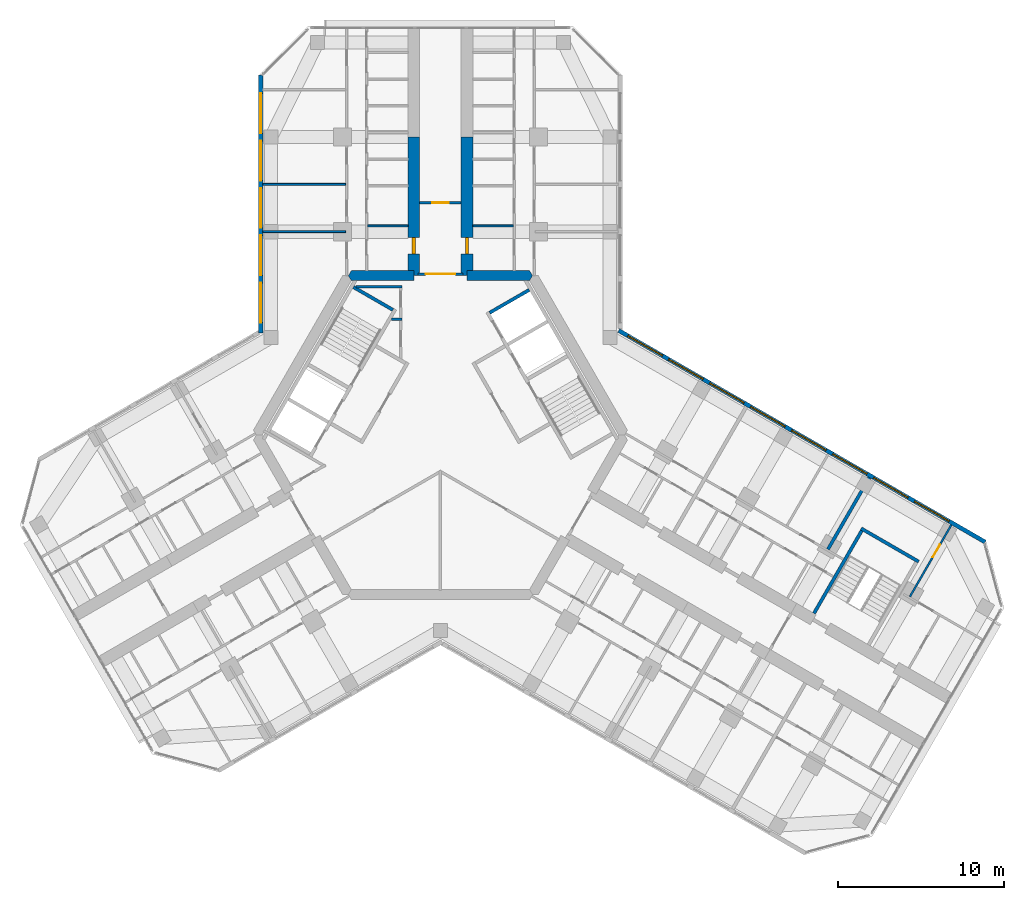
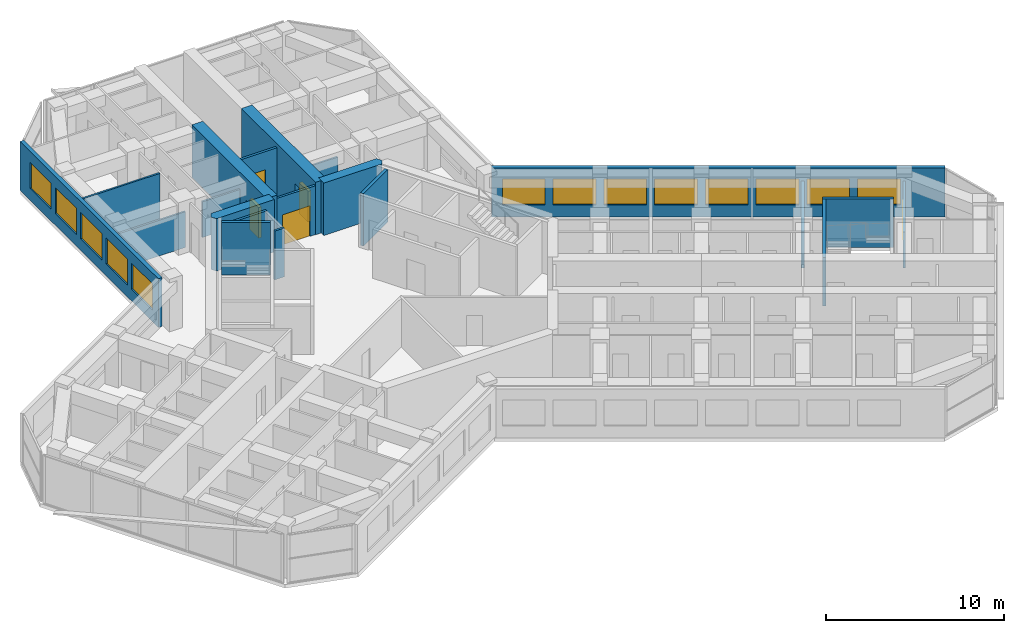
# One storey, part 13 of 16: 20 walls, 13 windows, 5 doors, 18 openings.
"""IFC4 building model written with IfcOpenShell, lengths in metres."""

import ifcopenshell
import ifcopenshell.guid

model = None  # the IFC model being written
_history = None  # IfcOwnerHistory: only IFC2X3 demands one
_inside = {}  # id of a spatial element -> (the spatial element, [elements in it])
_under = {}  # id of a project, library or spatial element -> (it, [spatial elements below it])
_declared = {}  # id of a project -> (the project, [libraries it declares])
_typed = {}  # id of a type object -> (the type object, [elements of that type])
_made_of = {}  # id of a material, layer set ... -> (it, [elements and type objects made of it])


def new_model(schema):
    """Start an empty IFC model of exactly this schema.

    Asked for "IFC4X3", IfcOpenShell would pick the latest addendum, in which some entities
    have other attributes; the version numbers below select the first issue.
    IFC2X3 requires an IfcOwnerHistory on every rooted entity: one is made here for all.
    """
    global model, _history
    if schema == "IFC4X3":
        model = ifcopenshell.file(schema_version=(4, 3, 0, 0))
    else:
        model = ifcopenshell.file(schema=schema)
    _inside.clear()
    _under.clear()
    _declared.clear()
    _typed.clear()
    _made_of.clear()
    _history = None
    if model.schema == "IFC2X3":
        org = make("IfcOrganization", Name="unknown")
        user = make(
            "IfcPersonAndOrganization",
            ThePerson=make("IfcPerson", FamilyName="unknown"),
            TheOrganization=org,
        )
        app = make(
            "IfcApplication",
            ApplicationDeveloper=org,
            Version="unknown",
            ApplicationFullName="unknown",
            ApplicationIdentifier="unknown",
        )
        _history = make(
            "IfcOwnerHistory",
            OwningUser=user,
            OwningApplication=app,
            ChangeAction="ADDED",
            CreationDate=0,
        )
    return model


def make(cls, **values):
    """One entity of the class cls with the attributes given. An attribute that is None is left unset."""
    return model.create_entity(
        cls, **{name: value for name, value in values.items() if value is not None}
    )


def rooted(cls, **values):
    """An entity with a GlobalId (a new one), such as an element, a storey or a relation."""
    return make(cls, GlobalId=ifcopenshell.guid.new(), OwnerHistory=_history, **values)


def si_unit(unit_type, name, prefix=None):
    """IfcSIUnit, for example si_unit("LENGTHUNIT", "METRE", prefix="MILLI")."""
    return make("IfcSIUnit", UnitType=unit_type, Prefix=prefix, Name=name)


def assignment(units):
    """IfcUnitAssignment: the units of a project."""
    return None if units is None else make("IfcUnitAssignment", Units=units)


def point(xyz):
    """IfcCartesianPoint."""
    return None if xyz is None else make("IfcCartesianPoint", Coordinates=xyz)


def direction(xyz):
    """IfcDirection."""
    return None if xyz is None else make("IfcDirection", DirectionRatios=xyz)


def frame(location, z_axis=None, x_axis=None):
    """IfcAxis2Placement3D, a coordinate frame: its origin and axes. An axis left out is left unset."""
    return make(
        "IfcAxis2Placement3D",
        Location=point(location),
        Axis=direction(z_axis),
        RefDirection=direction(x_axis),
    )


def frame_2d(location, x_axis=None):
    """IfcAxis2Placement2D, a coordinate frame in the plane: its origin and x axis."""
    return make(
        "IfcAxis2Placement2D", Location=point(location), RefDirection=direction(x_axis)
    )


def origin():
    """The frame at (0, 0, 0) with its axes left unset."""
    return frame((0.0, 0.0, 0.0))


def place(relative_to, where):
    """IfcLocalPlacement: puts the frame where relative to a parent placement (None: the world)."""
    return make(
        "IfcLocalPlacement", PlacementRelTo=relative_to, RelativePlacement=where
    )


def context(
    kind, dimensions, precision=None, world=None, true_north=None, identifier=None
):
    """IfcGeometricRepresentationContext, for example the 3D "Model" context."""
    return make(
        "IfcGeometricRepresentationContext",
        ContextIdentifier=identifier,
        ContextType=kind,
        CoordinateSpaceDimension=dimensions,
        Precision=precision,
        WorldCoordinateSystem=world,
        TrueNorth=true_north,
    )


def subcontext(parent, identifier, kind, view, scale=None):
    """IfcGeometricRepresentationSubContext, for example "Body" below "Model"."""
    return make(
        "IfcGeometricRepresentationSubContext",
        ContextIdentifier=identifier,
        ContextType=kind,
        ParentContext=parent,
        TargetScale=scale,
        TargetView=view,
    )


def project(units=None, contexts=None):
    """IfcProject with its units and contexts."""
    return rooted(
        "IfcProject",
        Name="project",
        RepresentationContexts=contexts,
        UnitsInContext=assignment(units),
    )


def spatial(cls, under=None, at=None, **own):
    """A site, building, storey or space (cls), placed at a placement, below another one or the project."""
    s = rooted(cls, ObjectPlacement=at, **own)
    if under is not None:
        _under.setdefault(under.id(), (under, []))[1].append(s)
    return s


def polyline(points):
    """IfcPolyline through the points."""
    return make("IfcPolyline", Points=[point(p) for p in points])


def profile(cls, at=None, kind="AREA", **sizes):
    """A parametric profile (cls). Its sizes go by their IFC names, for example OverallWidth=200.0."""
    return make(cls, ProfileType=kind, Position=at, **sizes)


def rectangle(**sizes):
    """IfcRectangleProfileDef."""
    return profile("IfcRectangleProfileDef", **sizes)


def outline(outer, holes=None, kind="AREA"):
    """IfcArbitraryClosedProfileDef: a profile drawn as a closed curve; with holes, ...WithVoids."""
    if holes is None:
        return make("IfcArbitraryClosedProfileDef", ProfileType=kind, OuterCurve=outer)
    return make(
        "IfcArbitraryProfileDefWithVoids",
        ProfileType=kind,
        OuterCurve=outer,
        InnerCurves=holes,
    )


def extrude(swept, where, along, depth):
    """IfcExtrudedAreaSolid: the profile swept, set in the frame where, extruded along a direction by depth."""
    return make(
        "IfcExtrudedAreaSolid",
        SweptArea=swept,
        Position=where,
        ExtrudedDirection=direction(along),
        Depth=depth,
    )


def shape(context_of_items, identifier, shape_type, items):
    """IfcShapeRepresentation: the items that make up one representation, for example the "Body"."""
    return make(
        "IfcShapeRepresentation",
        ContextOfItems=context_of_items,
        RepresentationIdentifier=identifier,
        RepresentationType=shape_type,
        Items=items,
    )


def material(Name=None, Category=None):
    """IfcMaterial."""
    return make("IfcMaterial", Name=Name, Category=Category)


def layer(
    of_material, thickness, ventilated=None, Name=None, Category=None, Priority=None
):
    """IfcMaterialLayer: one layer of a wall or slab, of a material (None: an air gap)."""
    return make(
        "IfcMaterialLayer",
        Material=of_material,
        LayerThickness=thickness,
        IsVentilated=ventilated,
        Name=Name,
        Category=Category,
        Priority=Priority,
    )


def layer_set(layers, Name=None):
    """IfcMaterialLayerSet."""
    return make("IfcMaterialLayerSet", MaterialLayers=layers, LayerSetName=Name)


def made_of(thing, what):
    """Note that an element or type object is made of a material, layer set ...; save() writes the relation."""
    if what is not None:
        _made_of.setdefault(what.id(), (what, []))[1].append(thing)
    return thing


def type_object(cls, material=None, **own):
    """A type object (cls), such as IfcWallType, which elements share."""
    return made_of(rooted(cls, **own), material)


def element(
    cls,
    number,
    at=None,
    inside=None,
    cuts=None,
    type_object=None,
    material=None,
    context=None,
    identifier="Body",
    shape_type=None,
    held_by="IfcProductDefinitionShape",
    body=None,
    shapes=None,
    **own,
):
    """One element of the class cls, such as IfcWall. Its Tag is "e" and its number.

    at: its placement. inside: the storey or other place that contains it. cuts: it is an
    opening in that element (IfcRelVoidsElement). A single representation is given by context,
    identifier, shape_type and body (its items); several are given by shapes. held_by: the class
    of the entity that holds the representations. save() writes the other relations.
    """
    e = rooted(cls, Tag="e%d" % number, ObjectPlacement=at, **own)
    if body is not None:
        shapes = [shape(context, identifier, shape_type, body)]
    if shapes is not None:
        e.Representation = make(held_by, Representations=shapes)
    if inside is not None:
        _inside.setdefault(inside.id(), (inside, []))[1].append(e)
    if cuts is not None:
        rooted(
            "IfcRelVoidsElement", RelatingBuildingElement=cuts, RelatedOpeningElement=e
        )
    if type_object is not None:
        _typed.setdefault(type_object.id(), (type_object, []))[1].append(e)
    return made_of(e, material)


def fill(opening, filler):
    """IfcRelFillsElement: the door or window that sits in an opening."""
    return rooted(
        "IfcRelFillsElement",
        RelatingOpeningElement=opening,
        RelatedBuildingElement=filler,
    )


def aggregate(whole, parts):
    """IfcRelAggregates: a whole, such as a stair, and the parts it consists of."""
    return rooted("IfcRelAggregates", RelatingObject=whole, RelatedObjects=parts)


def save(model, path):
    """Write the relations noted so far, then the file.

    IfcRelAggregates (storeys below a building ...), IfcRelContainedInSpatialStructure (elements
    in a storey), IfcRelDefinesByType, IfcRelAssociatesMaterial and IfcRelDeclares: one each for
    every whole, place, type object, material and project.
    """
    for whole, parts in _under.values():
        aggregate(whole, parts)
    for where, things in _inside.values():
        rooted(
            "IfcRelContainedInSpatialStructure",
            RelatedElements=things,
            RelatingStructure=where,
        )
    for kind, things in _typed.values():
        rooted("IfcRelDefinesByType", RelatedObjects=things, RelatingType=kind)
    for what, things in _made_of.values():
        rooted("IfcRelAssociatesMaterial", RelatedObjects=things, RelatingMaterial=what)
    for by, libraries in _declared.values():
        rooted("IfcRelDeclares", RelatingContext=by, RelatedDefinitions=libraries)
    model.write(path)


model = new_model("IFC4")

# Units and contexts
model_context = context("Model", 3, precision=1e-05, world=origin(), true_north=direction((0.0, 1.0)))
body_context = subcontext(model_context, "Body", "Model", "MODEL_VIEW")
ifc_project = project(units=[si_unit("LENGTHUNIT", "METRE"), si_unit("AREAUNIT", "SQUARE_METRE"), si_unit("VOLUMEUNIT", "CUBIC_METRE"), si_unit("PLANEANGLEUNIT", "RADIAN"), si_unit("MASSUNIT", "GRAM", prefix="KILO")], contexts=[model_context])

# Site, building, storey
site_placement = place(None, origin())
site = spatial("IfcSite", under=ifc_project, at=site_placement, CompositionType="ELEMENT")
building_placement = place(site_placement, origin())
building = spatial("IfcBuilding", under=site, at=building_placement, Name="Kosmar Iwan School Tower", CompositionType="ELEMENT")
storey_placement = place(building_placement, frame((0.0, 0.0, 231.60009765625)))
storey = spatial("IfcBuildingStorey", under=building, at=storey_placement, Name="L58", CompositionType="ELEMENT", Elevation=231.60009765625)

# Walls
ifc_material_1 = material(Name="Gypsum board on steel studs, fire-rated", Category="steel")
ifc_layer_1 = layer(ifc_material_1, 0.14990234375)
ifc_layer_set_1 = layer_set([ifc_layer_1], Name="Core room partition 150")
wall_type_1 = type_object("IfcWallType", Name="Core room partition 150", PredefinedType="PARTITIONING", material=ifc_layer_set_1)
wall_1_placement = place(storey_placement, frame((-2.324951171875, 6.985107421875, 0.0), z_axis=(0.0, 0.0, 1.0), x_axis=(-1.0, 0.0, 0.0)))
element("IfcWall", 1, at=wall_1_placement, inside=storey, type_object=wall_type_1, Name="Core room partition L58-CW2", PredefinedType="PARTITIONING", context=body_context, shape_type="SweptSolid", body=[
    extrude(rectangle(XDim=0.623779296875, YDim=0.14990234375, at=frame_2d((0.31201171875, 0.0))), origin(), (0.0, 0.0, 1.0), 3.349853515625),
])
wall_2_placement = place(storey_placement, frame((-5.089599609375, 8.93994140625, 0.0), z_axis=(0.0, 0.0, 1.0), x_axis=(1.0, 0.0, 0.0)))
element("IfcWall", 2, at=wall_2_placement, inside=storey, type_object=wall_type_1, Name="Core room partition L58-CW3", PredefinedType="PARTITIONING", context=body_context, shape_type="SweptSolid", body=[
    extrude(rectangle(XDim=2.7646484375, YDim=0.14990234375, at=frame_2d((1.38232421875, 0.0))), origin(), (0.0, 0.0, 1.0), 3.349853515625),
])
ifc_material_2 = material(Name="Concrete C50/60", Category="concrete")
ifc_layer_2 = layer(ifc_material_2, 0.60009765625)
ifc_layer_set_2 = layer_set([ifc_layer_2], Name="Core wall 600")
wall_type_2 = type_object("IfcWallType", Name="Core wall 600", PredefinedType="SHEAR", material=ifc_layer_set_2)
wall_3_placement = place(storey_placement, origin())
element("IfcWall", 3, at=wall_3_placement, inside=storey, type_object=wall_type_2, Name="Core wall F090a", PredefinedType="SHEAR", context=body_context, shape_type="SweptSolid", body=[
    extrude(outline(polyline([(1.60009765625, 9.300048828125), (5.369384765625, 9.300048828125), (5.54248046875, 9.60009765625), (5.369384765625, 9.89990234375), (1.60009765625, 9.89990234375), (1.60009765625, 9.300048828125)])), origin(), (0.0, 0.0, 1.0), 3.599853515625),
])
wall_4_placement = place(storey_placement, origin())
element("IfcWall", 4, at=wall_4_placement, inside=storey, type_object=wall_type_2, Name="Core wall F090b", PredefinedType="SHEAR", context=body_context, shape_type="SweptSolid", body=[
    extrude(outline(polyline([(-5.369384765625, 9.300048828125), (-1.60009765625, 9.300048828125), (-1.60009765625, 9.89990234375), (-5.369384765625, 9.89990234375), (-5.54248046875, 9.60009765625), (-5.369384765625, 9.300048828125)])), origin(), (0.0, 0.0, 1.0), 3.599853515625),
])

# Wall, opening, door
ifc_material_3 = material(Name="Concrete C50/60", Category="concrete")
ifc_layer_3 = layer(ifc_material_3, 0.699951171875)
ifc_layer_set_3 = layer_set([ifc_layer_3], Name="Corridor buttress wall 700")
wall_type_3 = type_object("IfcWallType", Name="Corridor buttress wall 700", PredefinedType="SHEAR", material=ifc_layer_set_3)
wall_5_placement = place(storey_placement, frame((-1.60009765625, 9.60009765625, 0.0), z_axis=(0.0, 0.0, 1.0), x_axis=(0.0, 1.0, 0.0)))
wall_5 = element("IfcWall", 5, at=wall_5_placement, inside=storey, type_object=wall_type_3, Name="Corridor wall AL", PredefinedType="SHEAR", context=body_context, shape_type="SweptSolid", body=[
    extrude(rectangle(XDim=8.349853515625, YDim=0.699951171875, at=frame_2d((4.1748046875, 0.0))), origin(), (0.0, 0.0, 1.0), 3.599853515625),
])
opening_1_placement = place(wall_5_placement, frame((1.300048828125, 0.0, 0.0)))
opening_1 = element("IfcOpeningElement", 6, at=opening_1_placement, cuts=wall_5, Name="Opening D1", PredefinedType="OPENING", context=body_context, shape_type="SweptSolid", body=[
    extrude(rectangle(XDim=1.0, YDim=2.10009765625, at=frame_2d((0.5, 1.050048828125))), frame((0.0, 0.362060546875, 0.0), z_axis=(0.0, -1.0, 0.0), x_axis=(1.0, 0.0, 0.0)), (0.0, 0.0, 1.0), 0.723876953125),
])
ifc_material_4 = material(Name="Timber fire door in steel frame", Category="steel")
door_type_1 = type_object("IfcDoorType", Name="Flat entrance door 1000x2100", OperationType="SINGLE_SWING_LEFT", PredefinedType="DOOR", material=ifc_material_4)
door_1_placement = place(opening_1_placement, origin())
door_1 = element("IfcDoor", 7, at=door_1_placement, inside=storey, type_object=door_type_1, Name="Flat L58-AL1 entrance door", OperationType="SINGLE_SWING_RIGHT", OverallHeight=2.10009765625, OverallWidth=1.0, PredefinedType="DOOR", context=body_context, shape_type="SweptSolid", body=[
    extrude(rectangle(XDim=1.0, YDim=2.10009765625, at=frame_2d((0.5, 1.050048828125))), frame((0.0, 0.10009765625, 0.0), z_axis=(0.0, -1.0, 0.0), x_axis=(1.0, 0.0, 0.0)), (0.0, 0.0, 1.0), 0.199951171875),
])
fill(opening_1, door_1)

wall_6_placement = place(storey_placement, frame((1.60009765625, 9.60009765625, 0.0), z_axis=(0.0, 0.0, 1.0), x_axis=(0.0, 1.0, 0.0)))
wall_6 = element("IfcWall", 8, at=wall_6_placement, inside=storey, type_object=wall_type_3, Name="Corridor wall AR", PredefinedType="SHEAR", context=body_context, shape_type="SweptSolid", body=[
    extrude(rectangle(XDim=8.349853515625, YDim=0.699951171875, at=frame_2d((4.1748046875, 0.0))), origin(), (0.0, 0.0, 1.0), 3.599853515625),
])
opening_2_placement = place(wall_6_placement, frame((1.300048828125, 0.0, 0.0)))
opening_2 = element("IfcOpeningElement", 9, at=opening_2_placement, cuts=wall_6, Name="Opening D1", PredefinedType="OPENING", context=body_context, shape_type="SweptSolid", body=[
    extrude(rectangle(XDim=1.0, YDim=2.10009765625, at=frame_2d((0.5, 1.050048828125))), frame((0.0, 0.362060546875, 0.0), z_axis=(0.0, -1.0, 0.0), x_axis=(1.0, 0.0, 0.0)), (0.0, 0.0, 1.0), 0.723876953125),
])
door_2_placement = place(opening_2_placement, origin())
door_2 = element("IfcDoor", 10, at=door_2_placement, inside=storey, type_object=door_type_1, Name="Flat L58-AR1 entrance door", OperationType="SINGLE_SWING_LEFT", OverallHeight=2.10009765625, OverallWidth=1.0, PredefinedType="DOOR", context=body_context, shape_type="SweptSolid", body=[
    extrude(rectangle(XDim=1.0, YDim=2.10009765625, at=frame_2d((0.5, 1.050048828125))), frame((0.0, 0.10009765625, 0.0), z_axis=(0.0, -1.0, 0.0), x_axis=(1.0, 0.0, 0.0)), (0.0, 0.0, 1.0), 0.199951171875),
])
fill(opening_2, door_2)

ifc_material_5 = material(Name="Gypsum board on steel studs, fire-rated", Category="steel")
ifc_layer_4 = layer(ifc_material_5, 0.14990234375)
ifc_layer_set_4 = layer_set([ifc_layer_4], Name="Corridor end wall 150")
wall_type_4 = type_object("IfcWallType", Name="Corridor end wall 150", PredefinedType="PARTITIONING", material=ifc_layer_set_4)
wall_7_placement = place(storey_placement, frame((1.25, 14.0, 0.0), z_axis=(0.0, 0.0, 1.0), x_axis=(-1.0, 0.0, 0.0)))
wall_7 = element("IfcWall", 11, at=wall_7_placement, inside=storey, type_object=wall_type_4, Name="Partition L58-A-CE", PredefinedType="PARTITIONING", context=body_context, shape_type="SweptSolid", body=[
    extrude(rectangle(XDim=2.5, YDim=0.14990234375, at=frame_2d((1.25, 0.0))), origin(), (0.0, 0.0, 1.0), 3.349853515625),
])
opening_3_placement = place(wall_7_placement, frame((0.75, 0.0, 0.0)))
opening_3 = element("IfcOpeningElement", 12, at=opening_3_placement, cuts=wall_7, Name="Opening D13", PredefinedType="OPENING", context=body_context, shape_type="SweptSolid", body=[
    extrude(rectangle(XDim=1.0, YDim=2.10009765625, at=frame_2d((0.5, 1.050048828125))), frame((0.0, 0.0869140625, 0.0), z_axis=(0.0, -1.0, 0.0), x_axis=(1.0, 0.0, 0.0)), (0.0, 0.0, 1.0), 0.173828125),
])
ifc_material_6 = material(Name="Timber fire door with vision panel", Category="wood")
door_type_2 = type_object("IfcDoorType", Name="Corridor end door 1000x2100", OperationType="SINGLE_SWING_LEFT", PredefinedType="DOOR", material=ifc_material_6)
door_3_placement = place(opening_3_placement, origin())
door_3 = element("IfcDoor", 13, at=door_3_placement, inside=storey, type_object=door_type_2, Name="Reading room door L58-A", OperationType="SINGLE_SWING_RIGHT", OverallHeight=2.10009765625, OverallWidth=1.0, PredefinedType="DOOR", context=body_context, shape_type="SweptSolid", body=[
    extrude(rectangle(XDim=1.0, YDim=2.10009765625, at=frame_2d((0.5, 1.050048828125))), frame((0.0, 0.02490234375, 0.0), z_axis=(0.0, -1.0, 0.0), x_axis=(1.0, 0.0, 0.0)), (0.0, 0.0, 1.0), 0.050048828125),
])
fill(opening_3, door_3)

ifc_material_7 = material(Name="Steel framed glazed screen", Category="steel")
ifc_layer_5 = layer(ifc_material_7, 0.14990234375)
ifc_layer_set_5 = layer_set([ifc_layer_5], Name="Corridor screen wall 150")
wall_type_5 = type_object("IfcWallType", Name="Corridor screen wall 150", PredefinedType="PARTITIONING", material=ifc_layer_set_5)
wall_8_placement = place(storey_placement, frame((1.35009765625, 9.699951171875, 0.0), z_axis=(0.0, 0.0, 1.0), x_axis=(-1.0, 0.0, 0.0)))
wall_8 = element("IfcWall", 14, at=wall_8_placement, inside=storey, type_object=wall_type_5, Name="Corridor screen A L58", PredefinedType="PARTITIONING", context=body_context, shape_type="SweptSolid", body=[
    extrude(rectangle(XDim=2.7001953125, YDim=0.14990234375, at=frame_2d((1.35009765625, 0.0))), origin(), (0.0, 0.0, 1.0), 3.349853515625),
])
opening_4_placement = place(wall_8_placement, frame((0.449951171875, 0.0, 0.0)))
opening_4 = element("IfcOpeningElement", 15, at=opening_4_placement, cuts=wall_8, Name="Opening D9", PredefinedType="OPENING", context=body_context, shape_type="SweptSolid", body=[
    extrude(rectangle(XDim=1.800048828125, YDim=2.10009765625, at=frame_2d((0.89990234375, 1.050048828125))), frame((0.0, 0.0869140625, 0.0), z_axis=(0.0, -1.0, 0.0), x_axis=(1.0, 0.0, 0.0)), (0.0, 0.0, 1.0), 0.173828125),
])
ifc_material_8 = material(Name="Steel framed glazed smoke door", Category="steel")
door_type_3 = type_object("IfcDoorType", Name="Corridor smoke door pair 1800x2100", OperationType="DOUBLE_DOOR_DOUBLE_SWING", PredefinedType="DOOR", material=ifc_material_8)
door_4_placement = place(opening_4_placement, origin())
door_4 = element("IfcDoor", 16, at=door_4_placement, inside=storey, type_object=door_type_3, Name="Corridor doors A L58", OperationType="DOUBLE_DOOR_DOUBLE_SWING", OverallHeight=2.10009765625, OverallWidth=1.800048828125, PredefinedType="DOOR", context=body_context, shape_type="SweptSolid", body=[
    extrude(rectangle(XDim=1.800048828125, YDim=2.10009765625, at=frame_2d((0.89990234375, 1.050048828125))), frame((0.0, 0.02490234375, 0.0), z_axis=(0.0, -1.0, 0.0), x_axis=(1.0, 0.0, 0.0)), (0.0, 0.0, 1.0), 0.050048828125),
])
fill(opening_4, door_4)

# Walls
ifc_material_9 = material(Name="Gypsum board on steel studs", Category="steel")
ifc_layer_6 = layer(ifc_material_9, 0.1201171875)
ifc_layer_set_6 = layer_set([ifc_layer_6], Name="Dwelling partition 120")
wall_type_6 = type_object("IfcWallType", Name="Dwelling partition 120", PredefinedType="PARTITIONING", material=ifc_layer_set_6)
wall_9_placement = place(storey_placement, frame((-5.7099609375, 12.25, 0.0), z_axis=(0.0, 0.0, 1.0), x_axis=(-1.0, 0.0, 0.0)))
element("IfcWall", 17, at=wall_9_placement, inside=storey, type_object=wall_type_6, Name="Partition L58-AL1-X1", PredefinedType="PARTITIONING", context=body_context, shape_type="SweptSolid", body=[
    extrude(rectangle(XDim=4.989990234375, YDim=0.1201171875, at=frame_2d((2.4951171875, 0.0))), origin(), (0.0, 0.0, 1.0), 2.449951171875),
])
wall_10_placement = place(storey_placement, frame((-5.7099609375, 15.10009765625, 0.0), z_axis=(0.0, 0.0, 1.0), x_axis=(-1.0, 0.0, 0.0)))
element("IfcWall", 18, at=wall_10_placement, inside=storey, type_object=wall_type_6, Name="Partition L58-AL1-X2", PredefinedType="PARTITIONING", context=body_context, shape_type="SweptSolid", body=[
    extrude(rectangle(XDim=4.989990234375, YDim=0.1201171875, at=frame_2d((2.4951171875, 0.0))), origin(), (0.0, 0.0, 1.0), 3.349853515625),
])
for number, where, z_axis, x_axis, name in (
    (19, (-1.949951171875, 12.60009765625, 0.0), (0.0, 0.0, 1.0), (-1.0, 0.0, 0.0), "Partition L58-AL1-Y1"),
    (20, (1.949951171875, 12.60009765625, 0.0), (0.0, 0.0, 1.0), (1.0, 0.0, 0.0), "Partition L58-AR1-Y1"),
):
    element("IfcWall", number, at=place(storey_placement, frame(where, z_axis=z_axis, x_axis=x_axis)), inside=storey, type_object=wall_type_6, Name=name, PredefinedType="PARTITIONING", context=body_context, shape_type="SweptSolid", body=[
        extrude(rectangle(XDim=2.43994140625, YDim=0.1201171875, at=frame_2d((1.219970703125, 0.0))), origin(), (0.0, 0.0, 1.0), 2.449951171875),
    ])

# Wall, opening, door
wall_11_placement = place(storey_placement, frame((28.27294921875, -9.72998046875, 0.0), z_axis=(0.0, 0.0, 1.0), x_axis=(0.499975153383, 0.86603974851, 0.0)))
wall_11 = element("IfcWall", 21, at=wall_11_placement, inside=storey, type_object=wall_type_6, Name="Partition L58-CL3-TX", PredefinedType="PARTITIONING", context=body_context, shape_type="SweptSolid", body=[
    extrude(rectangle(XDim=4.989990234375, YDim=0.1201171875, at=frame_2d((2.4951171875, 0.0))), origin(), (0.0, 0.0, 1.0), 2.449951171875),
])
opening_5_placement = place(wall_11_placement, frame((2.739990234375, 0.0, 0.0)))
opening_5 = element("IfcOpeningElement", 22, at=opening_5_placement, cuts=wall_11, Name="Opening D2", PredefinedType="OPENING", context=body_context, shape_type="SweptSolid", body=[
    extrude(rectangle(XDim=0.89990234375, YDim=2.10009765625, at=frame_2d((0.449951171875, 1.050048828125))), frame((0.0, 0.072021484375, 0.0), z_axis=(0.0, -1.0, 0.0), x_axis=(1.0, 0.0, 0.0)), (0.0, 0.0, 1.0), 0.14404296875),
])
ifc_material_10 = material(Name="Timber door in timber frame", Category="wood")
door_type_4 = type_object("IfcDoorType", Name="Internal door 900x2100", OperationType="SINGLE_SWING_LEFT", PredefinedType="DOOR", material=ifc_material_10)
door_5_placement = place(opening_5_placement, origin())
door_5 = element("IfcDoor", 23, at=door_5_placement, inside=storey, type_object=door_type_4, Name="Bedroom 1 door L58-CL3-T1", OperationType="SINGLE_SWING_RIGHT", OverallHeight=2.10009765625, OverallWidth=0.89990234375, PredefinedType="DOOR", context=body_context, shape_type="SweptSolid", body=[
    extrude(rectangle(XDim=0.89990234375, YDim=2.10009765625, at=frame_2d((0.449951171875, 1.050048828125))), frame((0.0, 0.02490234375, 0.0), z_axis=(0.0, -1.0, 0.0), x_axis=(1.0, 0.0, 0.0)), (0.0, 0.0, 1.0), 0.050048828125),
])
fill(opening_5, door_5)

# Walls
ifc_material_11 = material(Name="Concrete C35/45", Category="concrete")
ifc_layer_7 = layer(ifc_material_11, 0.199951171875)
ifc_layer_set_7 = layer_set([ifc_layer_7], Name="Escape stair wall 200")
wall_type_7 = type_object("IfcWallType", Name="Escape stair wall 200", PredefinedType="SHEAR", material=ifc_layer_set_7)
wall_12_placement = place(storey_placement, frame((22.49560546875, -10.736328125, 0.0), z_axis=(0.0, 0.0, 1.0), x_axis=(0.500013701029, 0.866017493347, 0.0)))
element("IfcWall", 24, at=wall_12_placement, inside=storey, type_object=wall_type_7, Name="Stair WS3 wall", PredefinedType="SHEAR", context=body_context, shape_type="SweptSolid", body=[
    extrude(rectangle(XDim=5.949951171875, YDim=0.199951171875, at=frame_2d((2.97509765625, 0.0))), origin(), (0.0, 0.0, 1.0), 3.329833984375),
])
wall_13_placement = place(storey_placement, frame((25.334228515625, -5.6201171875, 0.0), z_axis=(0.0, 0.0, 1.0), x_axis=(0.866026010844, -0.49999894854, 0.0)))
element("IfcWall", 25, at=wall_13_placement, inside=storey, type_object=wall_type_7, Name="Stair WS3 wall", PredefinedType="SHEAR", context=body_context, shape_type="SweptSolid", body=[
    extrude(rectangle(XDim=4.0, YDim=0.199951171875, at=frame_2d((2.0, 0.0))), origin(), (0.0, 0.0, 1.0), 3.329833984375),
])

# Wall, openings, windows
ifc_material_12 = material(Name="Black aluminium rainscreen on insulated framing", Category="aluminium")
ifc_layer_8 = layer(ifc_material_12, 0.25)
ifc_layer_set_8 = layer_set([ifc_layer_8], Name="External wall rainscreen 250")
wall_type_8 = type_object("IfcWallType", Name="External wall rainscreen 250", PredefinedType="SOLIDWALL", material=ifc_layer_set_8)
wall_14_placement = place(storey_placement, frame((10.73681640625, 6.30078125, 0.0), z_axis=(0.0, 0.0, 1.0), x_axis=(0.866026390279, -0.499998291337, 0.0)))
wall_14 = element("IfcWall", 26, at=wall_14_placement, inside=storey, type_object=wall_type_8, Name="External wall CL L58", PredefinedType="SOLIDWALL", context=body_context, shape_type="SweptSolid", body=[
    extrude(rectangle(XDim=25.4873046875, YDim=0.25, at=frame_2d((12.74365234375, 0.0))), origin(), (0.0, 0.0, 1.0), 3.349853515625),
])
opening_6_placement = place(wall_14_placement, frame((0.626953125, 0.0, 0.800048828125)))
opening_6 = element("IfcOpeningElement", 27, at=opening_6_placement, cuts=wall_14, Name="Opening W5", PredefinedType="OPENING", context=body_context, shape_type="SweptSolid", body=[
    extrude(rectangle(XDim=2.39990234375, YDim=1.800048828125, at=frame_2d((1.199951171875, 0.89990234375))), frame((0.0, 0.136962890625, 0.0), z_axis=(0.0, -1.0, 0.0), x_axis=(1.0, 0.0, 0.0)), (0.0, 0.0, 1.0), 0.27392578125),
])
opening_7_placement = place(wall_14_placement, frame((3.47705078125, 0.0, 0.800048828125)))
opening_7 = element("IfcOpeningElement", 28, at=opening_7_placement, cuts=wall_14, Name="Opening W5", PredefinedType="OPENING", context=body_context, shape_type="SweptSolid", body=[
    extrude(rectangle(XDim=2.39990234375, YDim=1.800048828125, at=frame_2d((1.199951171875, 0.89990234375))), frame((0.0, 0.136962890625, 0.0), z_axis=(0.0, -1.0, 0.0), x_axis=(1.0, 0.0, 0.0)), (0.0, 0.0, 1.0), 0.27392578125),
])
opening_8_placement = place(wall_14_placement, frame((6.326904296875, 0.0, 0.800048828125)))
opening_8 = element("IfcOpeningElement", 29, at=opening_8_placement, cuts=wall_14, Name="Opening W5", PredefinedType="OPENING", context=body_context, shape_type="SweptSolid", body=[
    extrude(rectangle(XDim=2.39990234375, YDim=1.800048828125, at=frame_2d((1.199951171875, 0.89990234375))), frame((0.0, 0.136962890625, 0.0), z_axis=(0.0, -1.0, 0.0), x_axis=(1.0, 0.0, 0.0)), (0.0, 0.0, 1.0), 0.27392578125),
])
opening_9_placement = place(wall_14_placement, frame((9.177001953125, 0.0, 0.800048828125)))
opening_9 = element("IfcOpeningElement", 30, at=opening_9_placement, cuts=wall_14, Name="Opening W5", PredefinedType="OPENING", context=body_context, shape_type="SweptSolid", body=[
    extrude(rectangle(XDim=2.39990234375, YDim=1.800048828125, at=frame_2d((1.199951171875, 0.89990234375))), frame((0.0, 0.136962890625, 0.0), z_axis=(0.0, -1.0, 0.0), x_axis=(1.0, 0.0, 0.0)), (0.0, 0.0, 1.0), 0.27392578125),
])
opening_10_placement = place(wall_14_placement, frame((12.027099609375, 0.0, 0.800048828125)))
opening_10 = element("IfcOpeningElement", 31, at=opening_10_placement, cuts=wall_14, Name="Opening W5", PredefinedType="OPENING", context=body_context, shape_type="SweptSolid", body=[
    extrude(rectangle(XDim=2.39990234375, YDim=1.800048828125, at=frame_2d((1.199951171875, 0.89990234375))), frame((0.0, 0.136962890625, 0.0), z_axis=(0.0, -1.0, 0.0), x_axis=(1.0, 0.0, 0.0)), (0.0, 0.0, 1.0), 0.27392578125),
])
opening_11_placement = place(wall_14_placement, frame((14.876953125, 0.0, 0.800048828125)))
opening_11 = element("IfcOpeningElement", 32, at=opening_11_placement, cuts=wall_14, Name="Opening W5", PredefinedType="OPENING", context=body_context, shape_type="SweptSolid", body=[
    extrude(rectangle(XDim=2.39990234375, YDim=1.800048828125, at=frame_2d((1.199951171875, 0.89990234375))), frame((0.0, 0.136962890625, 0.0), z_axis=(0.0, -1.0, 0.0), x_axis=(1.0, 0.0, 0.0)), (0.0, 0.0, 1.0), 0.27392578125),
])
opening_12_placement = place(wall_14_placement, frame((17.72705078125, 0.0, 0.800048828125)))
opening_12 = element("IfcOpeningElement", 33, at=opening_12_placement, cuts=wall_14, Name="Opening W5", PredefinedType="OPENING", context=body_context, shape_type="SweptSolid", body=[
    extrude(rectangle(XDim=2.39990234375, YDim=1.800048828125, at=frame_2d((1.199951171875, 0.89990234375))), frame((0.0, 0.136962890625, 0.0), z_axis=(0.0, -1.0, 0.0), x_axis=(1.0, 0.0, 0.0)), (0.0, 0.0, 1.0), 0.27392578125),
])
opening_13_placement = place(wall_14_placement, frame((20.576904296875, 0.0, 0.800048828125)))
opening_13 = element("IfcOpeningElement", 34, at=opening_13_placement, cuts=wall_14, Name="Opening W5", PredefinedType="OPENING", context=body_context, shape_type="SweptSolid", body=[
    extrude(rectangle(XDim=2.39990234375, YDim=1.800048828125, at=frame_2d((1.199951171875, 0.89990234375))), frame((0.0, 0.136962890625, 0.0), z_axis=(0.0, -1.0, 0.0), x_axis=(1.0, 0.0, 0.0)), (0.0, 0.0, 1.0), 0.27392578125),
])
ifc_material_13 = material(Name="Black aluminium frame with dark triple glazing", Category="aluminium")
window_type = type_object("IfcWindowType", Name="Window 2400x1800", PartitioningType="SINGLE_PANEL", PredefinedType="WINDOW", material=ifc_material_13)
window_1_placement = place(opening_6_placement, origin())
window_1 = element("IfcWindow", 35, at=window_1_placement, inside=storey, type_object=window_type, Name="Window CL L58 -1", OverallHeight=1.800048828125, OverallWidth=2.39990234375, PartitioningType="SINGLE_PANEL", PredefinedType="WINDOW", context=body_context, shape_type="SweptSolid", body=[
    extrude(rectangle(XDim=2.39990234375, YDim=1.800048828125, at=frame_2d((1.199951171875, 0.89990234375))), frame((0.0, 0.030029296875, 0.0), z_axis=(0.0, -1.0, 0.0), x_axis=(1.0, 0.0, 0.0)), (0.0, 0.0, 1.0), 0.06005859375),
])
fill(opening_6, window_1)
window_2_placement = place(opening_7_placement, origin())
window_2 = element("IfcWindow", 36, at=window_2_placement, inside=storey, type_object=window_type, Name="Window CL L58 0", OverallHeight=1.800048828125, OverallWidth=2.39990234375, PartitioningType="SINGLE_PANEL", PredefinedType="WINDOW", context=body_context, shape_type="SweptSolid", body=[
    extrude(rectangle(XDim=2.39990234375, YDim=1.800048828125, at=frame_2d((1.199951171875, 0.89990234375))), frame((0.0, 0.030029296875, 0.0), z_axis=(0.0, -1.0, 0.0), x_axis=(1.0, 0.0, 0.0)), (0.0, 0.0, 1.0), 0.06005859375),
])
fill(opening_7, window_2)
window_3_placement = place(opening_8_placement, origin())
window_3 = element("IfcWindow", 37, at=window_3_placement, inside=storey, type_object=window_type, Name="Window CL L58 1", OverallHeight=1.800048828125, OverallWidth=2.39990234375, PartitioningType="SINGLE_PANEL", PredefinedType="WINDOW", context=body_context, shape_type="SweptSolid", body=[
    extrude(rectangle(XDim=2.39990234375, YDim=1.800048828125, at=frame_2d((1.199951171875, 0.89990234375))), frame((0.0, 0.030029296875, 0.0), z_axis=(0.0, -1.0, 0.0), x_axis=(1.0, 0.0, 0.0)), (0.0, 0.0, 1.0), 0.06005859375),
])
fill(opening_8, window_3)
window_4_placement = place(opening_9_placement, origin())
window_4 = element("IfcWindow", 38, at=window_4_placement, inside=storey, type_object=window_type, Name="Window CL L58 2", OverallHeight=1.800048828125, OverallWidth=2.39990234375, PartitioningType="SINGLE_PANEL", PredefinedType="WINDOW", context=body_context, shape_type="SweptSolid", body=[
    extrude(rectangle(XDim=2.39990234375, YDim=1.800048828125, at=frame_2d((1.199951171875, 0.89990234375))), frame((0.0, 0.030029296875, 0.0), z_axis=(0.0, -1.0, 0.0), x_axis=(1.0, 0.0, 0.0)), (0.0, 0.0, 1.0), 0.06005859375),
])
fill(opening_9, window_4)
window_5_placement = place(opening_10_placement, origin())
window_5 = element("IfcWindow", 39, at=window_5_placement, inside=storey, type_object=window_type, Name="Window CL L58 3", OverallHeight=1.800048828125, OverallWidth=2.39990234375, PartitioningType="SINGLE_PANEL", PredefinedType="WINDOW", context=body_context, shape_type="SweptSolid", body=[
    extrude(rectangle(XDim=2.39990234375, YDim=1.800048828125, at=frame_2d((1.199951171875, 0.89990234375))), frame((0.0, 0.030029296875, 0.0), z_axis=(0.0, -1.0, 0.0), x_axis=(1.0, 0.0, 0.0)), (0.0, 0.0, 1.0), 0.06005859375),
])
fill(opening_10, window_5)
window_6_placement = place(opening_11_placement, origin())
window_6 = element("IfcWindow", 40, at=window_6_placement, inside=storey, type_object=window_type, Name="Window CL L58 4", OverallHeight=1.800048828125, OverallWidth=2.39990234375, PartitioningType="SINGLE_PANEL", PredefinedType="WINDOW", context=body_context, shape_type="SweptSolid", body=[
    extrude(rectangle(XDim=2.39990234375, YDim=1.800048828125, at=frame_2d((1.199951171875, 0.89990234375))), frame((0.0, 0.030029296875, 0.0), z_axis=(0.0, -1.0, 0.0), x_axis=(1.0, 0.0, 0.0)), (0.0, 0.0, 1.0), 0.06005859375),
])
fill(opening_11, window_6)
window_7_placement = place(opening_12_placement, origin())
window_7 = element("IfcWindow", 41, at=window_7_placement, inside=storey, type_object=window_type, Name="Window CL L58 5", OverallHeight=1.800048828125, OverallWidth=2.39990234375, PartitioningType="SINGLE_PANEL", PredefinedType="WINDOW", context=body_context, shape_type="SweptSolid", body=[
    extrude(rectangle(XDim=2.39990234375, YDim=1.800048828125, at=frame_2d((1.199951171875, 0.89990234375))), frame((0.0, 0.030029296875, 0.0), z_axis=(0.0, -1.0, 0.0), x_axis=(1.0, 0.0, 0.0)), (0.0, 0.0, 1.0), 0.06005859375),
])
fill(opening_12, window_7)
window_8_placement = place(opening_13_placement, origin())
window_8 = element("IfcWindow", 42, at=window_8_placement, inside=storey, type_object=window_type, Name="Window CL L58 6", OverallHeight=1.800048828125, OverallWidth=2.39990234375, PartitioningType="SINGLE_PANEL", PredefinedType="WINDOW", context=body_context, shape_type="SweptSolid", body=[
    extrude(rectangle(XDim=2.39990234375, YDim=1.800048828125, at=frame_2d((1.199951171875, 0.89990234375))), frame((0.0, 0.030029296875, 0.0), z_axis=(0.0, -1.0, 0.0), x_axis=(1.0, 0.0, 0.0)), (0.0, 0.0, 1.0), 0.06005859375),
])
fill(opening_13, window_8)

wall_15_placement = place(storey_placement, frame((-10.824951171875, 6.14794921875, 0.0), z_axis=(0.0, 0.0, 1.0), x_axis=(0.0, 1.0, 0.0)))
wall_15 = element("IfcWall", 43, at=wall_15_placement, inside=storey, type_object=wall_type_8, Name="External wall AL L58", PredefinedType="SOLIDWALL", context=body_context, shape_type="SweptSolid", body=[
    extrude(rectangle(XDim=15.537353515625, YDim=0.25, at=frame_2d((7.7685546875, 0.0))), origin(), (0.0, 0.0, 1.0), 3.349853515625),
])
opening_14_placement = place(wall_15_placement, frame((0.626953125, 0.0, 0.800048828125)))
opening_14 = element("IfcOpeningElement", 44, at=opening_14_placement, cuts=wall_15, Name="Opening W5", PredefinedType="OPENING", context=body_context, shape_type="SweptSolid", body=[
    extrude(rectangle(XDim=2.39990234375, YDim=1.800048828125, at=frame_2d((1.199951171875, 0.89990234375))), frame((0.0, 0.136962890625, 0.0), z_axis=(0.0, -1.0, 0.0), x_axis=(1.0, 0.0, 0.0)), (0.0, 0.0, 1.0), 0.27392578125),
])
opening_15_placement = place(wall_15_placement, frame((3.47705078125, 0.0, 0.800048828125)))
opening_15 = element("IfcOpeningElement", 45, at=opening_15_placement, cuts=wall_15, Name="Opening W5", PredefinedType="OPENING", context=body_context, shape_type="SweptSolid", body=[
    extrude(rectangle(XDim=2.39990234375, YDim=1.800048828125, at=frame_2d((1.199951171875, 0.89990234375))), frame((0.0, 0.136962890625, 0.0), z_axis=(0.0, -1.0, 0.0), x_axis=(1.0, 0.0, 0.0)), (0.0, 0.0, 1.0), 0.27392578125),
])
opening_16_placement = place(wall_15_placement, frame((6.326904296875, 0.0, 0.800048828125)))
opening_16 = element("IfcOpeningElement", 46, at=opening_16_placement, cuts=wall_15, Name="Opening W5", PredefinedType="OPENING", context=body_context, shape_type="SweptSolid", body=[
    extrude(rectangle(XDim=2.39990234375, YDim=1.800048828125, at=frame_2d((1.199951171875, 0.89990234375))), frame((0.0, 0.136962890625, 0.0), z_axis=(0.0, -1.0, 0.0), x_axis=(1.0, 0.0, 0.0)), (0.0, 0.0, 1.0), 0.27392578125),
])
opening_17_placement = place(wall_15_placement, frame((9.177001953125, 0.0, 0.800048828125)))
opening_17 = element("IfcOpeningElement", 47, at=opening_17_placement, cuts=wall_15, Name="Opening W5", PredefinedType="OPENING", context=body_context, shape_type="SweptSolid", body=[
    extrude(rectangle(XDim=2.39990234375, YDim=1.800048828125, at=frame_2d((1.199951171875, 0.89990234375))), frame((0.0, 0.136962890625, 0.0), z_axis=(0.0, -1.0, 0.0), x_axis=(1.0, 0.0, 0.0)), (0.0, 0.0, 1.0), 0.27392578125),
])
opening_18_placement = place(wall_15_placement, frame((12.027099609375, 0.0, 0.800048828125)))
opening_18 = element("IfcOpeningElement", 48, at=opening_18_placement, cuts=wall_15, Name="Opening W5", PredefinedType="OPENING", context=body_context, shape_type="SweptSolid", body=[
    extrude(rectangle(XDim=2.39990234375, YDim=1.800048828125, at=frame_2d((1.199951171875, 0.89990234375))), frame((0.0, 0.136962890625, 0.0), z_axis=(0.0, -1.0, 0.0), x_axis=(1.0, 0.0, 0.0)), (0.0, 0.0, 1.0), 0.27392578125),
])
window_9_placement = place(opening_14_placement, origin())
window_9 = element("IfcWindow", 49, at=window_9_placement, inside=storey, type_object=window_type, Name="Window AL L58 -1", OverallHeight=1.800048828125, OverallWidth=2.39990234375, PartitioningType="SINGLE_PANEL", PredefinedType="WINDOW", context=body_context, shape_type="SweptSolid", body=[
    extrude(rectangle(XDim=2.39990234375, YDim=1.800048828125, at=frame_2d((1.199951171875, 0.89990234375))), frame((0.0, 0.030029296875, 0.0), z_axis=(0.0, -1.0, 0.0), x_axis=(1.0, 0.0, 0.0)), (0.0, 0.0, 1.0), 0.06005859375),
])
fill(opening_14, window_9)
window_10_placement = place(opening_15_placement, origin())
window_10 = element("IfcWindow", 50, at=window_10_placement, inside=storey, type_object=window_type, Name="Window AL L58 0", OverallHeight=1.800048828125, OverallWidth=2.39990234375, PartitioningType="SINGLE_PANEL", PredefinedType="WINDOW", context=body_context, shape_type="SweptSolid", body=[
    extrude(rectangle(XDim=2.39990234375, YDim=1.800048828125, at=frame_2d((1.199951171875, 0.89990234375))), frame((0.0, 0.030029296875, 0.0), z_axis=(0.0, -1.0, 0.0), x_axis=(1.0, 0.0, 0.0)), (0.0, 0.0, 1.0), 0.06005859375),
])
fill(opening_15, window_10)
window_11_placement = place(opening_16_placement, origin())
window_11 = element("IfcWindow", 51, at=window_11_placement, inside=storey, type_object=window_type, Name="Window AL L58 1", OverallHeight=1.800048828125, OverallWidth=2.39990234375, PartitioningType="SINGLE_PANEL", PredefinedType="WINDOW", context=body_context, shape_type="SweptSolid", body=[
    extrude(rectangle(XDim=2.39990234375, YDim=1.800048828125, at=frame_2d((1.199951171875, 0.89990234375))), frame((0.0, 0.030029296875, 0.0), z_axis=(0.0, -1.0, 0.0), x_axis=(1.0, 0.0, 0.0)), (0.0, 0.0, 1.0), 0.06005859375),
])
fill(opening_16, window_11)
window_12_placement = place(opening_17_placement, origin())
window_12 = element("IfcWindow", 52, at=window_12_placement, inside=storey, type_object=window_type, Name="Window AL L58 2", OverallHeight=1.800048828125, OverallWidth=2.39990234375, PartitioningType="SINGLE_PANEL", PredefinedType="WINDOW", context=body_context, shape_type="SweptSolid", body=[
    extrude(rectangle(XDim=2.39990234375, YDim=1.800048828125, at=frame_2d((1.199951171875, 0.89990234375))), frame((0.0, 0.030029296875, 0.0), z_axis=(0.0, -1.0, 0.0), x_axis=(1.0, 0.0, 0.0)), (0.0, 0.0, 1.0), 0.06005859375),
])
fill(opening_17, window_12)
window_13_placement = place(opening_18_placement, origin())
window_13 = element("IfcWindow", 53, at=window_13_placement, inside=storey, type_object=window_type, Name="Window AL L58 3", OverallHeight=1.800048828125, OverallWidth=2.39990234375, PartitioningType="SINGLE_PANEL", PredefinedType="WINDOW", context=body_context, shape_type="SweptSolid", body=[
    extrude(rectangle(XDim=2.39990234375, YDim=1.800048828125, at=frame_2d((1.199951171875, 0.89990234375))), frame((0.0, 0.030029296875, 0.0), z_axis=(0.0, -1.0, 0.0), x_axis=(1.0, 0.0, 0.0)), (0.0, 0.0, 1.0), 0.06005859375),
])
fill(opening_18, window_13)

# Walls
ifc_material_14 = material(Name="Concrete C50/60", Category="concrete")
ifc_layer_9 = layer(ifc_material_14, 0.199951171875)
ifc_layer_set_9 = layer_set([ifc_layer_9], Name="Lift shaft wall 200")
wall_type_9 = type_object("IfcWallType", Name="Lift shaft wall 200", PredefinedType="SHEAR", material=ifc_layer_set_9)
wall_16_placement = place(storey_placement, frame((2.962646484375, 7.368408203125, 0.0), z_axis=(0.0, 0.0, 1.0), x_axis=(0.866027397988, 0.499996545922, 0.0)))
element("IfcWall", 54, at=wall_16_placement, inside=storey, type_object=wall_type_9, Name="Lift shaft wall AC 2", PredefinedType="SHEAR", context=body_context, shape_type="SweptSolid", body=[
    extrude(rectangle(XDim=2.75, YDim=0.199951171875, at=frame_2d((1.375, 0.0))), origin(), (0.0, 0.0, 1.0), 3.599853515625),
])
ifc_material_15 = material(Name="Concrete block masonry", Category="masonry")
ifc_layer_10 = layer(ifc_material_15, 0.199951171875)
ifc_layer_set_10 = layer_set([ifc_layer_10], Name="Party wall 200")
wall_type_10 = type_object("IfcWallType", Name="Party wall 200", PredefinedType="PARTITIONING", material=ifc_layer_set_10)
wall_17_placement = place(storey_placement, frame((23.33642578125, -6.8798828125, 0.0), z_axis=(0.0, 0.0, 1.0), x_axis=(0.500033033937, 0.866006330792, 0.0)))
element("IfcWall", 55, at=wall_17_placement, inside=storey, type_object=wall_type_10, Name="Partition L58-CL3-TB", PredefinedType="PARTITIONING", context=body_context, shape_type="SweptSolid", body=[
    extrude(rectangle(XDim=4.989990234375, YDim=0.199951171875, at=frame_2d((2.4951171875, 0.0))), origin(), (0.0, 0.0, 1.0), 2.449951171875),
])
ifc_material_16 = material(Name="Concrete C50/60", Category="concrete")
ifc_layer_11 = layer(ifc_material_16, 0.199951171875)
ifc_layer_set_11 = layer_set([ifc_layer_11], Name="Stair enclosure wall 200")
wall_type_11 = type_object("IfcWallType", Name="Stair enclosure wall 200", PredefinedType="SHEAR", material=ifc_layer_set_11)
wall_18_placement = place(storey_placement, frame((-2.862548828125, 7.541748046875, 0.0), z_axis=(0.0, 0.0, 1.0), x_axis=(-0.866027397988, 0.499996545922, 0.0)))
element("IfcWall", 56, at=wall_18_placement, inside=storey, type_object=wall_type_11, Name="Stair ST2 wall", PredefinedType="SHEAR", context=body_context, shape_type="SweptSolid", body=[
    extrude(rectangle(XDim=2.75, YDim=0.199951171875, at=frame_2d((1.375, 0.0))), origin(), (0.0, 0.0, 1.0), 3.599853515625),
])

save(model, "model.ifc")
